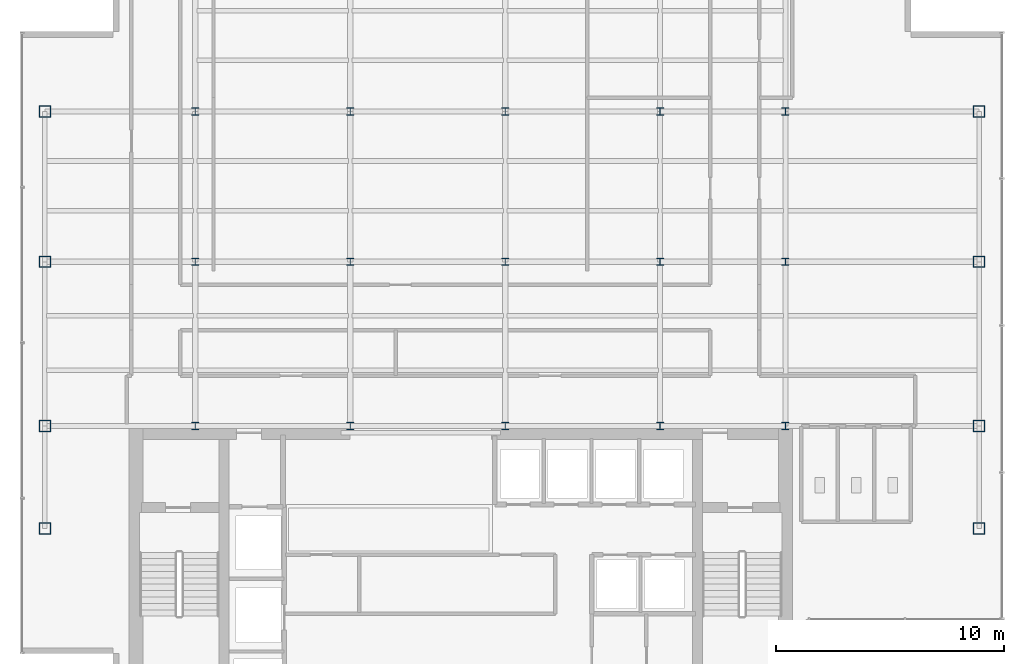
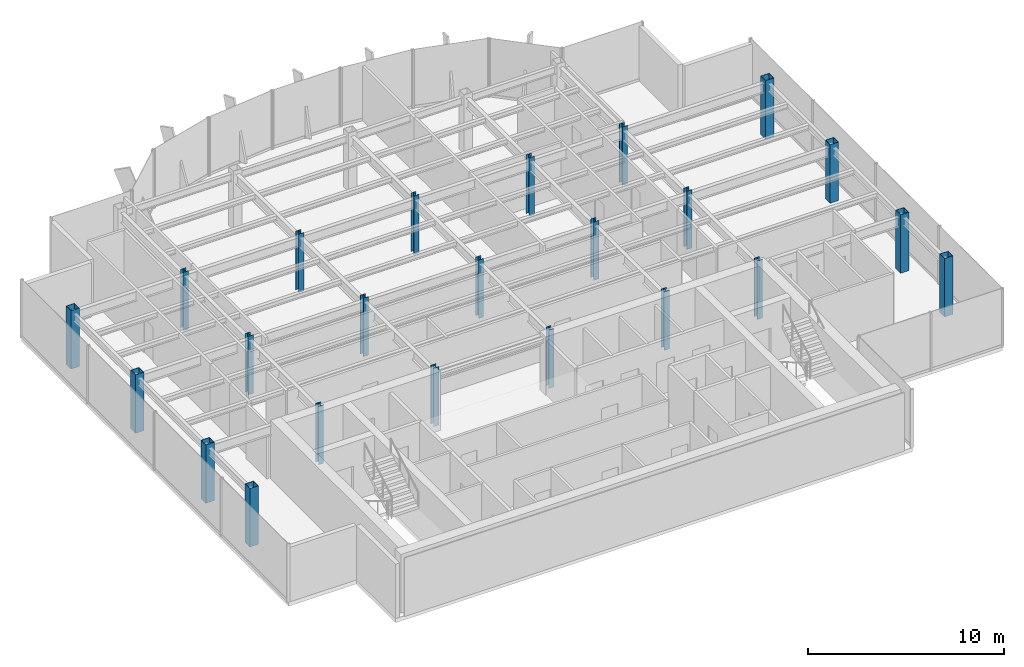
# One storey, part 1 of 22: 23 columns.
"""IFC4 building model written with IfcOpenShell, lengths in metres."""

import ifcopenshell
import ifcopenshell.guid

model = None  # the IFC model being written
_history = None  # IfcOwnerHistory: only IFC2X3 demands one
_inside = {}  # id of a spatial element -> (the spatial element, [elements in it])
_under = {}  # id of a project, library or spatial element -> (it, [spatial elements below it])
_declared = {}  # id of a project -> (the project, [libraries it declares])
_typed = {}  # id of a type object -> (the type object, [elements of that type])
_made_of = {}  # id of a material, layer set ... -> (it, [elements and type objects made of it])


def new_model(schema):
    """Start an empty IFC model of exactly this schema.

    Asked for "IFC4X3", IfcOpenShell would pick the latest addendum, in which some entities
    have other attributes; the version numbers below select the first issue.
    IFC2X3 requires an IfcOwnerHistory on every rooted entity: one is made here for all.
    """
    global model, _history
    if schema == "IFC4X3":
        model = ifcopenshell.file(schema_version=(4, 3, 0, 0))
    else:
        model = ifcopenshell.file(schema=schema)
    _inside.clear()
    _under.clear()
    _declared.clear()
    _typed.clear()
    _made_of.clear()
    _history = None
    if model.schema == "IFC2X3":
        org = make("IfcOrganization", Name="unknown")
        user = make(
            "IfcPersonAndOrganization",
            ThePerson=make("IfcPerson", FamilyName="unknown"),
            TheOrganization=org,
        )
        app = make(
            "IfcApplication",
            ApplicationDeveloper=org,
            Version="unknown",
            ApplicationFullName="unknown",
            ApplicationIdentifier="unknown",
        )
        _history = make(
            "IfcOwnerHistory",
            OwningUser=user,
            OwningApplication=app,
            ChangeAction="ADDED",
            CreationDate=0,
        )
    return model


def make(cls, **values):
    """One entity of the class cls with the attributes given. An attribute that is None is left unset."""
    return model.create_entity(
        cls, **{name: value for name, value in values.items() if value is not None}
    )


def rooted(cls, **values):
    """An entity with a GlobalId (a new one), such as an element, a storey or a relation."""
    return make(cls, GlobalId=ifcopenshell.guid.new(), OwnerHistory=_history, **values)


def si_unit(unit_type, name, prefix=None):
    """IfcSIUnit, for example si_unit("LENGTHUNIT", "METRE", prefix="MILLI")."""
    return make("IfcSIUnit", UnitType=unit_type, Prefix=prefix, Name=name)


def derived_unit(unit_type, elements):
    """IfcDerivedUnit: a product of units, each with its exponent."""
    return make(
        "IfcDerivedUnit",
        Elements=[
            make("IfcDerivedUnitElement", Unit=unit, Exponent=power)
            for unit, power in elements
        ],
        UnitType=unit_type,
    )


def assignment(units):
    """IfcUnitAssignment: the units of a project."""
    return None if units is None else make("IfcUnitAssignment", Units=units)


def point(xyz):
    """IfcCartesianPoint."""
    return None if xyz is None else make("IfcCartesianPoint", Coordinates=xyz)


def direction(xyz):
    """IfcDirection."""
    return None if xyz is None else make("IfcDirection", DirectionRatios=xyz)


def frame(location, z_axis=None, x_axis=None):
    """IfcAxis2Placement3D, a coordinate frame: its origin and axes. An axis left out is left unset."""
    return make(
        "IfcAxis2Placement3D",
        Location=point(location),
        Axis=direction(z_axis),
        RefDirection=direction(x_axis),
    )


def frame_2d(location, x_axis=None):
    """IfcAxis2Placement2D, a coordinate frame in the plane: its origin and x axis."""
    return make(
        "IfcAxis2Placement2D", Location=point(location), RefDirection=direction(x_axis)
    )


def origin():
    """The frame at (0, 0, 0) with its axes left unset."""
    return frame((0.0, 0.0, 0.0))


def origin_2d():
    """The frame at (0, 0) in the plane with its x axis left unset."""
    return frame_2d((0.0, 0.0))


def place(relative_to, where):
    """IfcLocalPlacement: puts the frame where relative to a parent placement (None: the world)."""
    return make(
        "IfcLocalPlacement", PlacementRelTo=relative_to, RelativePlacement=where
    )


def context(
    kind, dimensions, precision=None, world=None, true_north=None, identifier=None
):
    """IfcGeometricRepresentationContext, for example the 3D "Model" context."""
    return make(
        "IfcGeometricRepresentationContext",
        ContextIdentifier=identifier,
        ContextType=kind,
        CoordinateSpaceDimension=dimensions,
        Precision=precision,
        WorldCoordinateSystem=world,
        TrueNorth=true_north,
    )


def subcontext(parent, identifier, kind, view, scale=None):
    """IfcGeometricRepresentationSubContext, for example "Body" below "Model"."""
    return make(
        "IfcGeometricRepresentationSubContext",
        ContextIdentifier=identifier,
        ContextType=kind,
        ParentContext=parent,
        TargetScale=scale,
        TargetView=view,
    )


def project(units=None, contexts=None):
    """IfcProject with its units and contexts."""
    return rooted(
        "IfcProject",
        Name="project",
        RepresentationContexts=contexts,
        UnitsInContext=assignment(units),
    )


def spatial(cls, under=None, at=None, **own):
    """A site, building, storey or space (cls), placed at a placement, below another one or the project."""
    s = rooted(cls, ObjectPlacement=at, **own)
    if under is not None:
        _under.setdefault(under.id(), (under, []))[1].append(s)
    return s


def profile(cls, at=None, kind="AREA", **sizes):
    """A parametric profile (cls). Its sizes go by their IFC names, for example OverallWidth=200.0."""
    return make(cls, ProfileType=kind, Position=at, **sizes)


def hollow_rectangle(**sizes):
    """IfcRectangleHollowProfileDef."""
    return profile("IfcRectangleHollowProfileDef", **sizes)


def i_section(**sizes):
    """IfcIShapeProfileDef."""
    return profile("IfcIShapeProfileDef", **sizes)


def extrude(swept, where, along, depth):
    """IfcExtrudedAreaSolid: the profile swept, set in the frame where, extruded along a direction by depth."""
    return make(
        "IfcExtrudedAreaSolid",
        SweptArea=swept,
        Position=where,
        ExtrudedDirection=direction(along),
        Depth=depth,
    )


def shape(context_of_items, identifier, shape_type, items):
    """IfcShapeRepresentation: the items that make up one representation, for example the "Body"."""
    return make(
        "IfcShapeRepresentation",
        ContextOfItems=context_of_items,
        RepresentationIdentifier=identifier,
        RepresentationType=shape_type,
        Items=items,
    )


def source(mapping_origin, context_of_items, identifier, shape_type, items):
    """IfcRepresentationMap: a shape defined once, which mapped items show again and again."""
    return make(
        "IfcRepresentationMap",
        MappingOrigin=mapping_origin,
        MappedRepresentation=shape(context_of_items, identifier, shape_type, items),
    )


def transform(
    local_origin,
    x_axis=None,
    y_axis=None,
    z_axis=None,
    scale=None,
    scale2=None,
    scale3=None,
    uniform=True,
):
    """IfcCartesianTransformationOperator3D, or its non-uniform kind. x_axis, y_axis, z_axis: its Axis1, 2, 3."""
    if uniform:
        return make(
            "IfcCartesianTransformationOperator3D",
            Axis1=direction(x_axis),
            Axis2=direction(y_axis),
            LocalOrigin=point(local_origin),
            Scale=scale,
            Axis3=direction(z_axis),
        )
    return make(
        "IfcCartesianTransformationOperator3DnonUniform",
        Axis1=direction(x_axis),
        Axis2=direction(y_axis),
        LocalOrigin=point(local_origin),
        Scale=scale,
        Axis3=direction(z_axis),
        Scale2=scale2,
        Scale3=scale3,
    )


def mapped(mapping_source, mapping_target):
    """IfcMappedItem: shows the shape of a source again, moved by a transform."""
    return make(
        "IfcMappedItem", MappingSource=mapping_source, MappingTarget=mapping_target
    )


def material(Name=None, Category=None):
    """IfcMaterial."""
    return make("IfcMaterial", Name=Name, Category=Category)


def material_profile(
    of_material, cross_section, Name=None, Category=None, Priority=None
):
    """IfcMaterialProfile: a cross section and its material."""
    return make(
        "IfcMaterialProfile",
        Name=Name,
        Material=of_material,
        Profile=cross_section,
        Priority=Priority,
        Category=Category,
    )


def profile_set(profiles, Name=None, composite=None):
    """IfcMaterialProfileSet."""
    return make(
        "IfcMaterialProfileSet",
        Name=Name,
        MaterialProfiles=profiles,
        CompositeProfile=composite,
    )


def made_of(thing, what):
    """Note that an element or type object is made of a material, layer set ...; save() writes the relation."""
    if what is not None:
        _made_of.setdefault(what.id(), (what, []))[1].append(thing)
    return thing


def type_object(cls, material=None, **own):
    """A type object (cls), such as IfcWallType, which elements share."""
    return made_of(rooted(cls, **own), material)


def element(
    cls,
    number,
    at=None,
    inside=None,
    cuts=None,
    type_object=None,
    material=None,
    context=None,
    identifier="Body",
    shape_type=None,
    held_by="IfcProductDefinitionShape",
    body=None,
    shapes=None,
    **own,
):
    """One element of the class cls, such as IfcWall. Its Tag is "e" and its number.

    at: its placement. inside: the storey or other place that contains it. cuts: it is an
    opening in that element (IfcRelVoidsElement). A single representation is given by context,
    identifier, shape_type and body (its items); several are given by shapes. held_by: the class
    of the entity that holds the representations. save() writes the other relations.
    """
    e = rooted(cls, Tag="e%d" % number, ObjectPlacement=at, **own)
    if body is not None:
        shapes = [shape(context, identifier, shape_type, body)]
    if shapes is not None:
        e.Representation = make(held_by, Representations=shapes)
    if inside is not None:
        _inside.setdefault(inside.id(), (inside, []))[1].append(e)
    if cuts is not None:
        rooted(
            "IfcRelVoidsElement", RelatingBuildingElement=cuts, RelatedOpeningElement=e
        )
    if type_object is not None:
        _typed.setdefault(type_object.id(), (type_object, []))[1].append(e)
    return made_of(e, material)


def aggregate(whole, parts):
    """IfcRelAggregates: a whole, such as a stair, and the parts it consists of."""
    return rooted("IfcRelAggregates", RelatingObject=whole, RelatedObjects=parts)


def save(model, path):
    """Write the relations noted so far, then the file.

    IfcRelAggregates (storeys below a building ...), IfcRelContainedInSpatialStructure (elements
    in a storey), IfcRelDefinesByType, IfcRelAssociatesMaterial and IfcRelDeclares: one each for
    every whole, place, type object, material and project.
    """
    for whole, parts in _under.values():
        aggregate(whole, parts)
    for where, things in _inside.values():
        rooted(
            "IfcRelContainedInSpatialStructure",
            RelatedElements=things,
            RelatingStructure=where,
        )
    for kind, things in _typed.values():
        rooted("IfcRelDefinesByType", RelatedObjects=things, RelatingType=kind)
    for what, things in _made_of.values():
        rooted("IfcRelAssociatesMaterial", RelatedObjects=things, RelatingMaterial=what)
    for by, libraries in _declared.values():
        rooted("IfcRelDeclares", RelatingContext=by, RelatedDefinitions=libraries)
    model.write(path)


model = new_model("IFC4")

# Units and contexts
model_context = context("Model", 3, precision=1e-05, world=origin(), true_north=direction((0.0, 1.0)))
body_context = subcontext(model_context, "Body", "Model", "MODEL_VIEW")
ifc_project = project(units=[si_unit("LENGTHUNIT", "METRE"), si_unit("AREAUNIT", "SQUARE_METRE"), si_unit("VOLUMEUNIT", "CUBIC_METRE"), si_unit("PLANEANGLEUNIT", "RADIAN"), si_unit("MASSUNIT", "GRAM", prefix="KILO"), derived_unit("THERMALTRANSMITTANCEUNIT", [(si_unit("POWERUNIT", "WATT"), 1), (si_unit("LENGTHUNIT", "METRE"), -2), (si_unit("THERMODYNAMICTEMPERATUREUNIT", "KELVIN"), -1)])], contexts=[model_context])

# Site, building, storey
site_placement = place(None, origin())
site = spatial("IfcSite", under=ifc_project, at=site_placement, CompositionType="ELEMENT")
building_placement = place(site_placement, origin())
building = spatial("IfcBuilding", under=site, at=building_placement, Name="Skarnbrae Concourse Arena and Tower", CompositionType="ELEMENT")
storey_placement = place(building_placement, frame((0.0, 0.0, 284.35009765625)))
storey = spatial("IfcBuildingStorey", under=building, at=storey_placement, Name="L74", CompositionType="ELEMENT", Elevation=284.35009765625)

# Columns
ifc_material = material(Name="Steel CSA G40.21 350W", Category="steel")
ifc_material_profile_1 = material_profile(ifc_material, hollow_rectangle(XDim=0.5, YDim=0.5, WallThickness=0.02197265625, at=origin_2d()), Name="HSS500X500X22.0")
ifc_profile_set_1 = profile_set([ifc_material_profile_1], Name="Steel CSA G40.21 350W")
column_type_1 = type_object("IfcColumnType", Name="COL-TUBE-HSS500", PredefinedType="COLUMN", material=ifc_profile_set_1)
shared_shape_1 = source(origin(), body_context, "Body", "SweptSolid", [
    extrude(hollow_rectangle(XDim=0.5, YDim=0.5, WallThickness=0.02197265625, at=origin_2d()), origin(), (0.0, 0.0, 1.0), 3.64990234375),
])
for number, where, z_axis, x_axis, name in (
    (1, (1.0, 9.5, 0.0), (0.0, 0.0, 1.0), (1.0, 0.0, 0.0), "L74 Tower column PC_01_01"),
    (2, (1.0, 14.0, 0.0), (0.0, 0.0, 1.0), (1.0, 0.0, 0.0), "L74 Tower column PC_01_02"),
    (3, (1.0, 21.199951171875, 0.0), (0.0, 0.0, 1.0), (1.0, 0.0, 0.0), "L74 Tower column PC_01_03"),
    (4, (1.0, 27.800048828125, 0.0), (0.0, 0.0, 1.0), (1.0, 0.0, 0.0), "L74 Tower column PC_01_04"),
    (5, (42.0, 9.5, 0.0), (0.0, 0.0, 1.0), (1.0, 0.0, 0.0), "L74 Tower column PC_07_01"),
    (6, (42.0, 14.0, 0.0), (0.0, 0.0, 1.0), (1.0, 0.0, 0.0), "L74 Tower column PC_07_02"),
    (7, (42.0, 21.199951171875, 0.0), (0.0, 0.0, 1.0), (1.0, 0.0, 0.0), "L74 Tower column PC_07_03"),
    (8, (42.0, 27.800048828125, 0.0), (0.0, 0.0, 1.0), (1.0, 0.0, 0.0), "L74 Tower column PC_07_04"),
):
    element("IfcColumn", number, at=place(storey_placement, frame(where, z_axis=z_axis, x_axis=x_axis)), inside=storey, type_object=column_type_1, Name=name, PredefinedType="COLUMN", context=body_context, shape_type="MappedRepresentation", body=[
        mapped(shared_shape_1, transform((0.0, 0.0, 0.0))),
    ])
ifc_material_profile_2 = material_profile(ifc_material, i_section(OverallWidth=0.30908203125, OverallDepth=0.322998046875, WebThickness=0.013916015625, FlangeThickness=0.02294921875, at=origin_2d()), Name="W310X143")
ifc_profile_set_2 = profile_set([ifc_material_profile_2], Name="Steel CSA G40.21 350W")
column_type_2 = type_object("IfcColumnType", Name="COL-INT-W310X143", PredefinedType="COLUMN", material=ifc_profile_set_2)
shared_shape_2 = source(origin(), body_context, "Body", "SweptSolid", [
    extrude(i_section(OverallWidth=0.30908203125, OverallDepth=0.322998046875, WebThickness=0.013916015625, FlangeThickness=0.02294921875, at=origin_2d()), origin(), (0.0, 0.0, 1.0), 3.64990234375),
])
for number, where, z_axis, x_axis, name in (
    (9, (7.60009765625, 14.0, 0.0), (0.0, 0.0, 1.0), (1.0, 0.0, 0.0), "L74 Tower column IC_02_02"),
    (10, (7.60009765625, 21.199951171875, 0.0), (0.0, 0.0, 1.0), (1.0, 0.0, 0.0), "L74 Tower column IC_02_03"),
    (11, (7.60009765625, 27.800048828125, 0.0), (0.0, 0.0, 1.0), (1.0, 0.0, 0.0), "L74 Tower column IC_02_04"),
    (12, (14.39990234375, 14.0, 0.0), (0.0, 0.0, 1.0), (1.0, 0.0, 0.0), "L74 Tower column IC_03_02"),
    (13, (14.39990234375, 21.199951171875, 0.0), (0.0, 0.0, 1.0), (1.0, 0.0, 0.0), "L74 Tower column IC_03_03"),
    (14, (14.39990234375, 27.800048828125, 0.0), (0.0, 0.0, 1.0), (1.0, 0.0, 0.0), "L74 Tower column IC_03_04"),
    (15, (21.199951171875, 14.0, 0.0), (0.0, 0.0, 1.0), (1.0, 0.0, 0.0), "L74 Tower column IC_04_02"),
    (16, (21.199951171875, 21.199951171875, 0.0), (0.0, 0.0, 1.0), (1.0, 0.0, 0.0), "L74 Tower column IC_04_03"),
    (17, (21.199951171875, 27.800048828125, 0.0), (0.0, 0.0, 1.0), (1.0, 0.0, 0.0), "L74 Tower column IC_04_04"),
    (18, (28.0, 14.0, 0.0), (0.0, 0.0, 1.0), (1.0, 0.0, 0.0), "L74 Tower column IC_05_02"),
    (19, (28.0, 21.199951171875, 0.0), (0.0, 0.0, 1.0), (1.0, 0.0, 0.0), "L74 Tower column IC_05_03"),
    (20, (28.0, 27.800048828125, 0.0), (0.0, 0.0, 1.0), (1.0, 0.0, 0.0), "L74 Tower column IC_05_04"),
    (21, (33.5, 14.0, 0.0), (0.0, 0.0, 1.0), (1.0, 0.0, 0.0), "L74 Tower column IC_06_02"),
    (22, (33.5, 21.199951171875, 0.0), (0.0, 0.0, 1.0), (1.0, 0.0, 0.0), "L74 Tower column IC_06_03"),
    (23, (33.5, 27.800048828125, 0.0), (0.0, 0.0, 1.0), (1.0, 0.0, 0.0), "L74 Tower column IC_06_04"),
):
    element("IfcColumn", number, at=place(storey_placement, frame(where, z_axis=z_axis, x_axis=x_axis)), inside=storey, type_object=column_type_2, Name=name, PredefinedType="COLUMN", context=body_context, shape_type="MappedRepresentation", body=[
        mapped(shared_shape_2, transform((0.0, 0.0, 0.0))),
    ])

save(model, "model.ifc")
